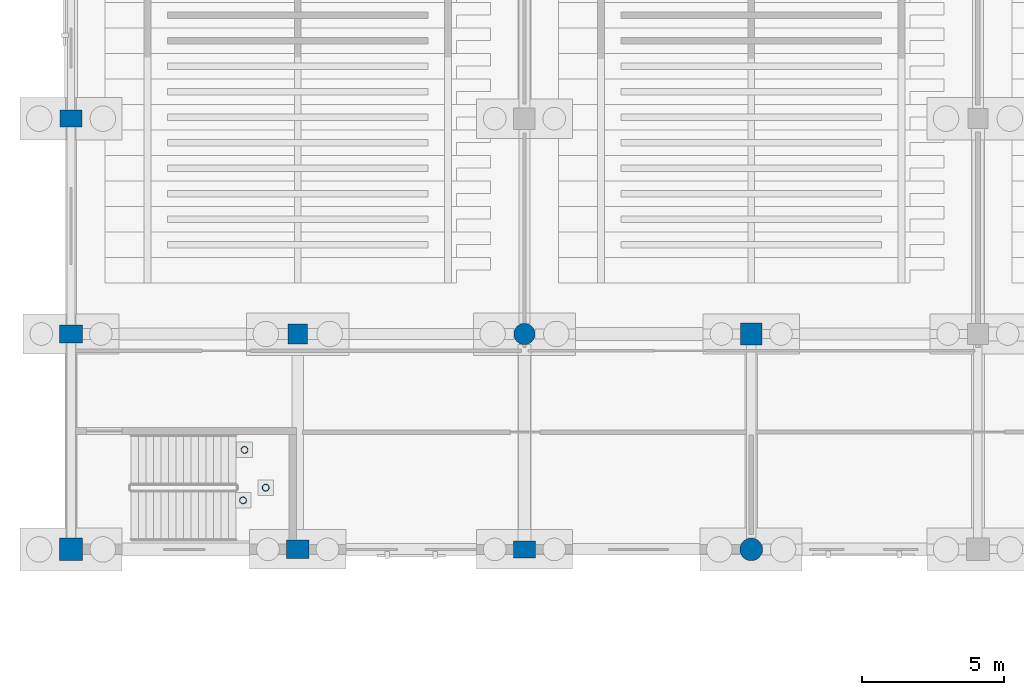
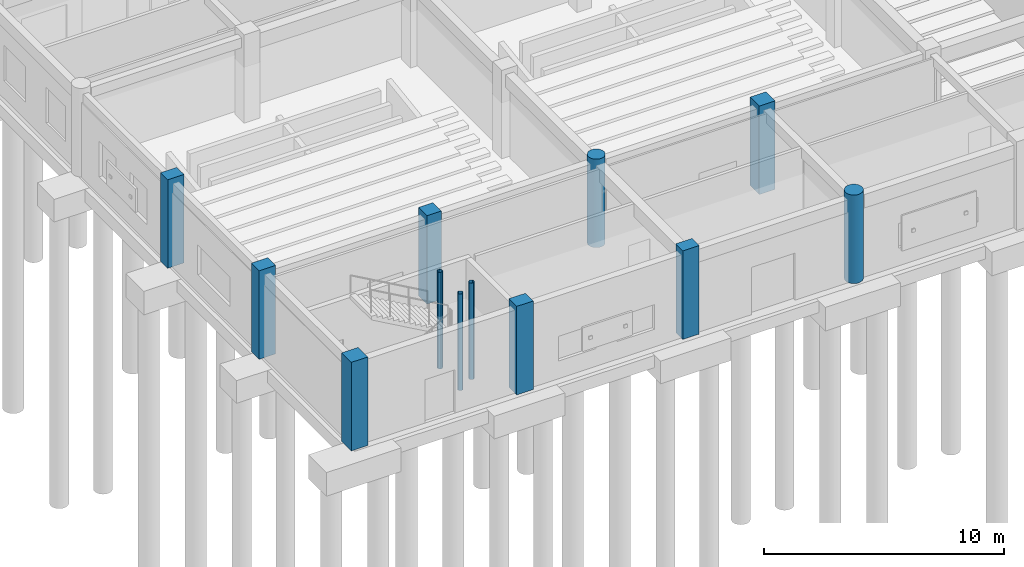
# One storey, part 12 of 166: 12 columns.
"""IFC4 building model written with IfcOpenShell, lengths in metres."""

from ifc_helpers import new_model, si_unit, direction, frame, origin, origin_with_axes, origin_2d, place, context, subcontext, project, spatial, rectangle, circle, hollow_circle, extrude, material, material_profile, profile_set, type_object, element, save


model = new_model("IFC4")

# Units and contexts
model_context = context("Model", 3, precision=1e-05, world=origin(), true_north=direction((0.0, 1.0)))
body_context = subcontext(model_context, "Body", "Model", "MODEL_VIEW")
ifc_project = project(units=[si_unit("LENGTHUNIT", "METRE"), si_unit("AREAUNIT", "SQUARE_METRE"), si_unit("VOLUMEUNIT", "CUBIC_METRE"), si_unit("PLANEANGLEUNIT", "RADIAN"), si_unit("MASSUNIT", "GRAM", prefix="KILO")], contexts=[model_context])

# Site, building, storey
site_placement = place(None, origin())
site = spatial("IfcSite", under=ifc_project, at=site_placement, CompositionType="ELEMENT")
building_placement = place(site_placement, origin())
building = spatial("IfcBuilding", under=site, at=building_placement, Name="Kharva Crest Polytechnic", CompositionType="ELEMENT")
storey_placement = place(building_placement, origin())
storey = spatial("IfcBuildingStorey", under=building, at=storey_placement, Name="L00", CompositionType="ELEMENT", Elevation=0.0)

# Columns
ifc_material_1 = material(Name="Concrete C40/50", Category="concrete")
ifc_material_profile_1 = material_profile(ifc_material_1, rectangle(XDim=0.780029296875, YDim=0.60009765625, at=origin_2d()), Name="RECT 780 X 600")
ifc_profile_set_1 = profile_set([ifc_material_profile_1], Name="Concrete C40/50")
column_type_1 = type_object("IfcColumnType", Name="COL-EXT-780X600", PredefinedType="COLUMN", material=ifc_profile_set_1)
for number, where, z_axis, x_axis, name in (
    (1, (0.0, 15.199951171875, 0.0), (0.0, 0.0, 1.0), (1.0, 0.0, 0.0), "L00 Column 1/C"),
    (2, (16.0, 0.0, 0.0), (0.0, 0.0, 1.0), (1.0, 0.0, 0.0), "L00 Column 3/A"),
):
    element("IfcColumn", number, at=place(storey_placement, frame(where, z_axis=z_axis, x_axis=x_axis)), inside=storey, type_object=column_type_1, Name=name, PredefinedType="COLUMN", context=body_context, shape_type="SweptSolid", body=[
        extrude(rectangle(XDim=0.780029296875, YDim=0.60009765625, at=origin_2d()), origin(), (0.0, 0.0, 1.0), 4.5),
    ])
ifc_material_profile_2 = material_profile(ifc_material_1, rectangle(XDim=0.800048828125, YDim=0.64990234375, at=origin_2d()), Name="RECT 800 X 650")
ifc_profile_set_2 = profile_set([ifc_material_profile_2], Name="Concrete C40/50")
column_type_2 = type_object("IfcColumnType", Name="COL-EXT-800X650", PredefinedType="COLUMN", material=ifc_profile_set_2)
for number, where, z_axis, x_axis, name in (
    (3, (0.0, 7.60009765625, 0.0), (0.0, 0.0, 1.0), (1.0, 0.0, 0.0), "L00 Column 1/B"),
    (4, (8.0, 0.0, 0.0), (0.0, 0.0, 1.0), (1.0, 0.0, 0.0), "L00 Column 2/A"),
):
    element("IfcColumn", number, at=place(storey_placement, frame(where, z_axis=z_axis, x_axis=x_axis)), inside=storey, type_object=column_type_2, Name=name, PredefinedType="COLUMN", context=body_context, shape_type="SweptSolid", body=[
        extrude(rectangle(XDim=0.800048828125, YDim=0.64990234375, at=origin_2d()), origin(), (0.0, 0.0, 1.0), 4.5),
    ])
ifc_material_profile_3 = material_profile(ifc_material_1, rectangle(XDim=0.800048828125, YDim=0.800048828125, at=origin_2d()), Name="RECT 800 X 800")
ifc_profile_set_3 = profile_set([ifc_material_profile_3], Name="Concrete C40/50")
column_type_3 = type_object("IfcColumnType", Name="COL-EXT-800X800", PredefinedType="COLUMN", material=ifc_profile_set_3)
column_1_placement = place(storey_placement, origin_with_axes())
element("IfcColumn", 5, at=column_1_placement, inside=storey, type_object=column_type_3, Name="L00 Column 1/A", PredefinedType="COLUMN", context=body_context, shape_type="SweptSolid", body=[
    extrude(rectangle(XDim=0.800048828125, YDim=0.800048828125, at=origin_2d()), origin(), (0.0, 0.0, 1.0), 4.5),
])
ifc_material_profile_4 = material_profile(ifc_material_1, circle(Radius=0.39990234375, at=origin_2d()), Name="DIA 800")
ifc_profile_set_4 = profile_set([ifc_material_profile_4], Name="Concrete C40/50")
column_type_4 = type_object("IfcColumnType", Name="COL-EXT-DIA800", PredefinedType="COLUMN", material=ifc_profile_set_4)
column_2_placement = place(storey_placement, frame((24.0, 0.0, 0.0), z_axis=(0.0, 0.0, 1.0), x_axis=(1.0, 0.0, 0.0)))
element("IfcColumn", 6, at=column_2_placement, inside=storey, type_object=column_type_4, Name="L00 Column 4/A", PredefinedType="COLUMN", context=body_context, shape_type="SweptSolid", body=[
    extrude(circle(Radius=0.39990234375, at=origin_2d()), origin(), (0.0, 0.0, 1.0), 4.5),
])
ifc_material_profile_5 = material_profile(ifc_material_1, rectangle(XDim=0.699951171875, YDim=0.699951171875, at=origin_2d()), Name="RECT 700 X 700")
ifc_profile_set_5 = profile_set([ifc_material_profile_5], Name="Concrete C40/50")
column_type_5 = type_object("IfcColumnType", Name="COL-INT-700X700", PredefinedType="COLUMN", material=ifc_profile_set_5)
column_3_placement = place(storey_placement, frame((8.0, 7.60009765625, 0.0), z_axis=(0.0, 0.0, 1.0), x_axis=(1.0, 0.0, 0.0)))
element("IfcColumn", 7, at=column_3_placement, inside=storey, type_object=column_type_5, Name="L00 Column 2/B", PredefinedType="COLUMN", context=body_context, shape_type="SweptSolid", body=[
    extrude(rectangle(XDim=0.699951171875, YDim=0.699951171875, at=origin_2d()), origin(), (0.0, 0.0, 1.0), 4.5),
])
ifc_material_profile_6 = material_profile(ifc_material_1, rectangle(XDim=0.760009765625, YDim=0.760009765625, at=origin_2d()), Name="RECT 760 X 760")
ifc_profile_set_6 = profile_set([ifc_material_profile_6], Name="Concrete C40/50")
column_type_6 = type_object("IfcColumnType", Name="COL-INT-760X760", PredefinedType="COLUMN", material=ifc_profile_set_6)
column_4_placement = place(storey_placement, frame((24.0, 7.60009765625, 0.0), z_axis=(0.0, 0.0, 1.0), x_axis=(1.0, 0.0, 0.0)))
element("IfcColumn", 8, at=column_4_placement, inside=storey, type_object=column_type_6, Name="L00 Column 4/B", PredefinedType="COLUMN", context=body_context, shape_type="SweptSolid", body=[
    extrude(rectangle(XDim=0.760009765625, YDim=0.760009765625, at=origin_2d()), origin(), (0.0, 0.0, 1.0), 4.5),
])
ifc_material_profile_7 = material_profile(ifc_material_1, circle(Radius=0.375, at=origin_2d()), Name="DIA 750")
ifc_profile_set_7 = profile_set([ifc_material_profile_7], Name="Concrete C40/50")
column_type_7 = type_object("IfcColumnType", Name="COL-INT-DIA750", PredefinedType="COLUMN", material=ifc_profile_set_7)
column_5_placement = place(storey_placement, frame((16.0, 7.60009765625, 0.0), z_axis=(0.0, 0.0, 1.0), x_axis=(1.0, 0.0, 0.0)))
element("IfcColumn", 9, at=column_5_placement, inside=storey, type_object=column_type_7, Name="L00 Column 3/B", PredefinedType="COLUMN", context=body_context, shape_type="SweptSolid", body=[
    extrude(circle(Radius=0.375, at=origin_2d()), origin(), (0.0, 0.0, 1.0), 4.5),
])
ifc_material_2 = material(Name="Steel S355", Category="steel")
ifc_material_profile_8 = material_profile(ifc_material_2, hollow_circle(Radius=0.122314453125, WallThickness=0.010009765625, at=origin_2d()), Name="CHS 244.5X10.0")
ifc_profile_set_8 = profile_set([ifc_material_profile_8], Name="Steel S355")
column_type_8 = type_object("IfcColumnType", Name="COL-STL-CHS244", PredefinedType="COLUMN", material=ifc_profile_set_8)
for number, where, z_axis, x_axis, name in (
    (10, (6.070068359375, 1.72998046875, -0.405029296875), (0.0, 0.0, 1.0), (1.0, 0.0, 0.0), "L00 Stair ST-10 Landing Support Column SW"),
    (11, (6.1201171875, 3.510009765625, -0.405029296875), (0.0, 0.0, 1.0), (1.0, 0.0, 0.0), "L00 Stair ST-10 Landing Support Column NW"),
    (12, (6.8701171875, 2.179931640625, -0.405029296875), (0.0, 0.0, 1.0), (1.0, 0.0, 0.0), "L00 Stair ST-10 Landing Support Column EM"),
):
    element("IfcColumn", number, at=place(storey_placement, frame(where, z_axis=z_axis, x_axis=x_axis)), inside=storey, type_object=column_type_8, Name=name, PredefinedType="COLUMN", context=body_context, shape_type="SweptSolid", body=[
        extrude(hollow_circle(Radius=0.122314453125, WallThickness=0.010009765625, at=origin_2d()), origin(), (0.0, 0.0, 1.0), 4.905029296875),
    ])

save(model, "model.ifc")
